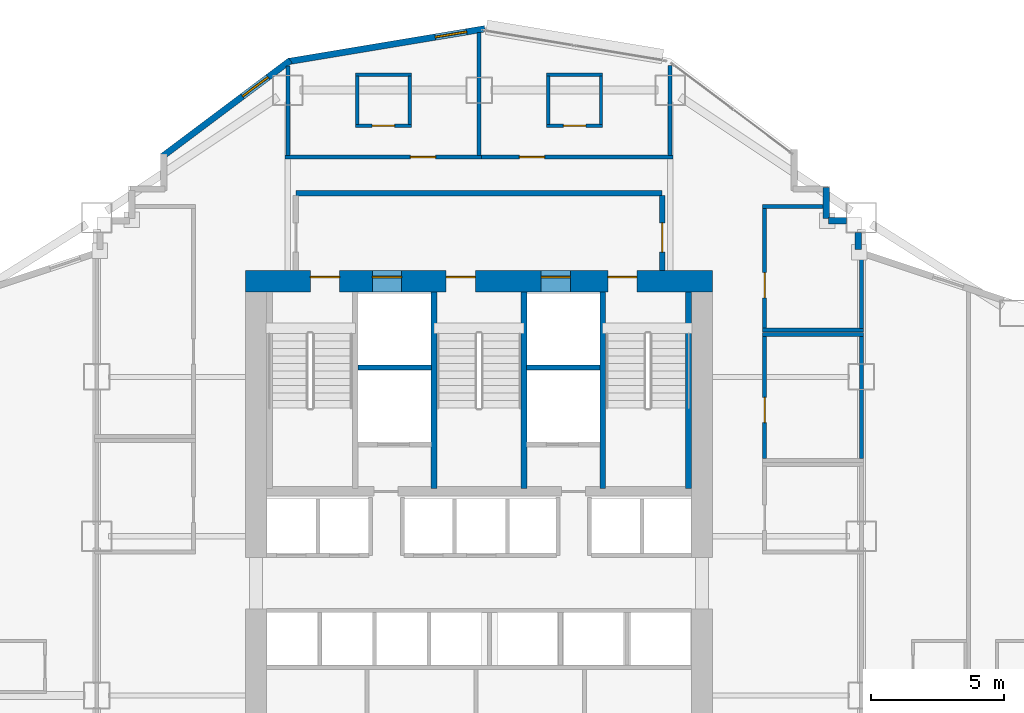
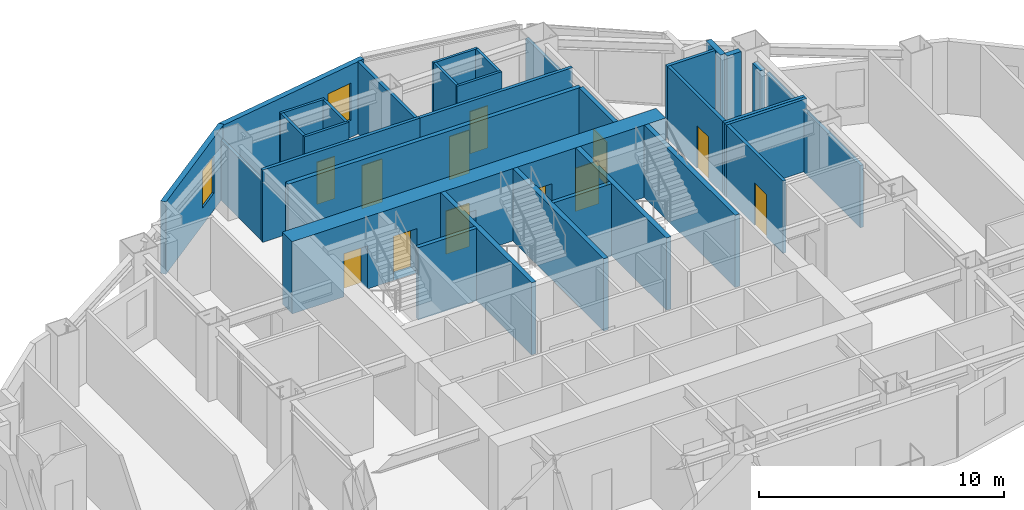
# One storey, part 11 of 18: 34 walls, 12 doors, 2 windows, 14 openings.
"""IFC4 building model written with IfcOpenShell, lengths in metres."""

import ifcopenshell
import ifcopenshell.guid

model = None  # the IFC model being written
_history = None  # IfcOwnerHistory: only IFC2X3 demands one
_inside = {}  # id of a spatial element -> (the spatial element, [elements in it])
_under = {}  # id of a project, library or spatial element -> (it, [spatial elements below it])
_declared = {}  # id of a project -> (the project, [libraries it declares])
_typed = {}  # id of a type object -> (the type object, [elements of that type])
_made_of = {}  # id of a material, layer set ... -> (it, [elements and type objects made of it])


def new_model(schema):
    """Start an empty IFC model of exactly this schema.

    Asked for "IFC4X3", IfcOpenShell would pick the latest addendum, in which some entities
    have other attributes; the version numbers below select the first issue.
    IFC2X3 requires an IfcOwnerHistory on every rooted entity: one is made here for all.
    """
    global model, _history
    if schema == "IFC4X3":
        model = ifcopenshell.file(schema_version=(4, 3, 0, 0))
    else:
        model = ifcopenshell.file(schema=schema)
    _inside.clear()
    _under.clear()
    _declared.clear()
    _typed.clear()
    _made_of.clear()
    _history = None
    if model.schema == "IFC2X3":
        org = make("IfcOrganization", Name="unknown")
        user = make(
            "IfcPersonAndOrganization",
            ThePerson=make("IfcPerson", FamilyName="unknown"),
            TheOrganization=org,
        )
        app = make(
            "IfcApplication",
            ApplicationDeveloper=org,
            Version="unknown",
            ApplicationFullName="unknown",
            ApplicationIdentifier="unknown",
        )
        _history = make(
            "IfcOwnerHistory",
            OwningUser=user,
            OwningApplication=app,
            ChangeAction="ADDED",
            CreationDate=0,
        )
    return model


def make(cls, **values):
    """One entity of the class cls with the attributes given. An attribute that is None is left unset."""
    return model.create_entity(
        cls, **{name: value for name, value in values.items() if value is not None}
    )


def rooted(cls, **values):
    """An entity with a GlobalId (a new one), such as an element, a storey or a relation."""
    return make(cls, GlobalId=ifcopenshell.guid.new(), OwnerHistory=_history, **values)


def si_unit(unit_type, name, prefix=None):
    """IfcSIUnit, for example si_unit("LENGTHUNIT", "METRE", prefix="MILLI")."""
    return make("IfcSIUnit", UnitType=unit_type, Prefix=prefix, Name=name)


def assignment(units):
    """IfcUnitAssignment: the units of a project."""
    return None if units is None else make("IfcUnitAssignment", Units=units)


def point(xyz):
    """IfcCartesianPoint."""
    return None if xyz is None else make("IfcCartesianPoint", Coordinates=xyz)


def direction(xyz):
    """IfcDirection."""
    return None if xyz is None else make("IfcDirection", DirectionRatios=xyz)


def frame(location, z_axis=None, x_axis=None):
    """IfcAxis2Placement3D, a coordinate frame: its origin and axes. An axis left out is left unset."""
    return make(
        "IfcAxis2Placement3D",
        Location=point(location),
        Axis=direction(z_axis),
        RefDirection=direction(x_axis),
    )


def frame_2d(location, x_axis=None):
    """IfcAxis2Placement2D, a coordinate frame in the plane: its origin and x axis."""
    return make(
        "IfcAxis2Placement2D", Location=point(location), RefDirection=direction(x_axis)
    )


def origin():
    """The frame at (0, 0, 0) with its axes left unset."""
    return frame((0.0, 0.0, 0.0))


def place(relative_to, where):
    """IfcLocalPlacement: puts the frame where relative to a parent placement (None: the world)."""
    return make(
        "IfcLocalPlacement", PlacementRelTo=relative_to, RelativePlacement=where
    )


def context(
    kind, dimensions, precision=None, world=None, true_north=None, identifier=None
):
    """IfcGeometricRepresentationContext, for example the 3D "Model" context."""
    return make(
        "IfcGeometricRepresentationContext",
        ContextIdentifier=identifier,
        ContextType=kind,
        CoordinateSpaceDimension=dimensions,
        Precision=precision,
        WorldCoordinateSystem=world,
        TrueNorth=true_north,
    )


def subcontext(parent, identifier, kind, view, scale=None):
    """IfcGeometricRepresentationSubContext, for example "Body" below "Model"."""
    return make(
        "IfcGeometricRepresentationSubContext",
        ContextIdentifier=identifier,
        ContextType=kind,
        ParentContext=parent,
        TargetScale=scale,
        TargetView=view,
    )


def project(units=None, contexts=None):
    """IfcProject with its units and contexts."""
    return rooted(
        "IfcProject",
        Name="project",
        RepresentationContexts=contexts,
        UnitsInContext=assignment(units),
    )


def spatial(cls, under=None, at=None, **own):
    """A site, building, storey or space (cls), placed at a placement, below another one or the project."""
    s = rooted(cls, ObjectPlacement=at, **own)
    if under is not None:
        _under.setdefault(under.id(), (under, []))[1].append(s)
    return s


def profile(cls, at=None, kind="AREA", **sizes):
    """A parametric profile (cls). Its sizes go by their IFC names, for example OverallWidth=200.0."""
    return make(cls, ProfileType=kind, Position=at, **sizes)


def rectangle(**sizes):
    """IfcRectangleProfileDef."""
    return profile("IfcRectangleProfileDef", **sizes)


def extrude(swept, where, along, depth):
    """IfcExtrudedAreaSolid: the profile swept, set in the frame where, extruded along a direction by depth."""
    return make(
        "IfcExtrudedAreaSolid",
        SweptArea=swept,
        Position=where,
        ExtrudedDirection=direction(along),
        Depth=depth,
    )


def shape(context_of_items, identifier, shape_type, items):
    """IfcShapeRepresentation: the items that make up one representation, for example the "Body"."""
    return make(
        "IfcShapeRepresentation",
        ContextOfItems=context_of_items,
        RepresentationIdentifier=identifier,
        RepresentationType=shape_type,
        Items=items,
    )


def material(Name=None, Category=None):
    """IfcMaterial."""
    return make("IfcMaterial", Name=Name, Category=Category)


def layer(
    of_material, thickness, ventilated=None, Name=None, Category=None, Priority=None
):
    """IfcMaterialLayer: one layer of a wall or slab, of a material (None: an air gap)."""
    return make(
        "IfcMaterialLayer",
        Material=of_material,
        LayerThickness=thickness,
        IsVentilated=ventilated,
        Name=Name,
        Category=Category,
        Priority=Priority,
    )


def layer_set(layers, Name=None):
    """IfcMaterialLayerSet."""
    return make("IfcMaterialLayerSet", MaterialLayers=layers, LayerSetName=Name)


def made_of(thing, what):
    """Note that an element or type object is made of a material, layer set ...; save() writes the relation."""
    if what is not None:
        _made_of.setdefault(what.id(), (what, []))[1].append(thing)
    return thing


def type_object(cls, material=None, **own):
    """A type object (cls), such as IfcWallType, which elements share."""
    return made_of(rooted(cls, **own), material)


def element(
    cls,
    number,
    at=None,
    inside=None,
    cuts=None,
    type_object=None,
    material=None,
    context=None,
    identifier="Body",
    shape_type=None,
    held_by="IfcProductDefinitionShape",
    body=None,
    shapes=None,
    **own,
):
    """One element of the class cls, such as IfcWall. Its Tag is "e" and its number.

    at: its placement. inside: the storey or other place that contains it. cuts: it is an
    opening in that element (IfcRelVoidsElement). A single representation is given by context,
    identifier, shape_type and body (its items); several are given by shapes. held_by: the class
    of the entity that holds the representations. save() writes the other relations.
    """
    e = rooted(cls, Tag="e%d" % number, ObjectPlacement=at, **own)
    if body is not None:
        shapes = [shape(context, identifier, shape_type, body)]
    if shapes is not None:
        e.Representation = make(held_by, Representations=shapes)
    if inside is not None:
        _inside.setdefault(inside.id(), (inside, []))[1].append(e)
    if cuts is not None:
        rooted(
            "IfcRelVoidsElement", RelatingBuildingElement=cuts, RelatedOpeningElement=e
        )
    if type_object is not None:
        _typed.setdefault(type_object.id(), (type_object, []))[1].append(e)
    return made_of(e, material)


def fill(opening, filler):
    """IfcRelFillsElement: the door or window that sits in an opening."""
    return rooted(
        "IfcRelFillsElement",
        RelatingOpeningElement=opening,
        RelatedBuildingElement=filler,
    )


def aggregate(whole, parts):
    """IfcRelAggregates: a whole, such as a stair, and the parts it consists of."""
    return rooted("IfcRelAggregates", RelatingObject=whole, RelatedObjects=parts)


def save(model, path):
    """Write the relations noted so far, then the file.

    IfcRelAggregates (storeys below a building ...), IfcRelContainedInSpatialStructure (elements
    in a storey), IfcRelDefinesByType, IfcRelAssociatesMaterial and IfcRelDeclares: one each for
    every whole, place, type object, material and project.
    """
    for whole, parts in _under.values():
        aggregate(whole, parts)
    for where, things in _inside.values():
        rooted(
            "IfcRelContainedInSpatialStructure",
            RelatedElements=things,
            RelatingStructure=where,
        )
    for kind, things in _typed.values():
        rooted("IfcRelDefinesByType", RelatedObjects=things, RelatingType=kind)
    for what, things in _made_of.values():
        rooted("IfcRelAssociatesMaterial", RelatedObjects=things, RelatingMaterial=what)
    for by, libraries in _declared.values():
        rooted("IfcRelDeclares", RelatingContext=by, RelatedDefinitions=libraries)
    model.write(path)


model = new_model("IFC4")

# Units and contexts
model_context = context("Model", 3, precision=1e-05, world=origin(), true_north=direction((0.0, 1.0)))
body_context = subcontext(model_context, "Body", "Model", "MODEL_VIEW")
ifc_project = project(units=[si_unit("LENGTHUNIT", "METRE"), si_unit("AREAUNIT", "SQUARE_METRE"), si_unit("VOLUMEUNIT", "CUBIC_METRE"), si_unit("PLANEANGLEUNIT", "RADIAN"), si_unit("MASSUNIT", "GRAM", prefix="KILO")], contexts=[model_context])

# Site, building, storey
site_placement = place(None, origin())
site = spatial("IfcSite", under=ifc_project, at=site_placement, CompositionType="ELEMENT")
building_placement = place(site_placement, origin())
building = spatial("IfcBuilding", under=site, at=building_placement, Name="Haolan Belvedere Tower", CompositionType="ELEMENT")
storey_placement = place(building_placement, frame((0.0, 0.0, 51.39990234375)))
storey = spatial("IfcBuildingStorey", under=building, at=storey_placement, Name="L12", CompositionType="ELEMENT", Elevation=51.39990234375)

# Wall, openings, doors
ifc_material_1 = material(Name="Concrete C70/85", Category="concrete")
ifc_layer_1 = layer(ifc_material_1, 0.800048828125, Name="Concrete C70/85")
ifc_layer_set_1 = layer_set([ifc_layer_1], Name="Concrete C70/85")
wall_type_1 = type_object("IfcWallType", Name="WL-CORE-800", PredefinedType="SHEAR", material=ifc_layer_set_1)
wall_1_placement = place(storey_placement, frame((29.60009765625, 43.199951171875, 0.0), z_axis=(0.0, 0.0, 1.0), x_axis=(1.0, 0.0, 0.0)))
wall_1 = element("IfcWall", 1, at=wall_1_placement, inside=storey, type_object=wall_type_1, Name="L12 central core north shear wall", PredefinedType="SHEAR", context=body_context, shape_type="SweptSolid", body=[
    extrude(rectangle(XDim=17.599853515625, YDim=0.800048828125, at=frame_2d((8.7998046875, 0.0))), origin(), (0.0, 0.0, 1.0), 3.60009765625),
])
opening_1_placement = place(wall_1_placement, frame((2.449951171875, 0.0, 0.0)))
opening_1 = element("IfcOpeningElement", 2, at=opening_1_placement, cuts=wall_1, Name="Opening FD-03", PredefinedType="OPENING", context=body_context, shape_type="SweptSolid", body=[
    extrude(rectangle(XDim=1.10009765625, YDim=2.14990234375, at=frame_2d((0.550048828125, 1.074951171875))), frame((0.0, 0.409912109375, 0.0), z_axis=(0.0, -1.0, 0.0), x_axis=(1.0, 0.0, 0.0)), (0.0, 0.0, 1.0), 0.820068359375),
])
opening_2_placement = place(wall_1_placement, frame((7.56005859375, 0.0, 0.0)))
opening_2 = element("IfcOpeningElement", 3, at=opening_2_placement, cuts=wall_1, Name="Opening FD-03", PredefinedType="OPENING", context=body_context, shape_type="SweptSolid", body=[
    extrude(rectangle(XDim=1.10009765625, YDim=2.14990234375, at=frame_2d((0.550048828125, 1.074951171875))), frame((0.0, 0.409912109375, 0.0), z_axis=(0.0, -1.0, 0.0), x_axis=(1.0, 0.0, 0.0)), (0.0, 0.0, 1.0), 0.820068359375),
])
opening_3_placement = place(wall_1_placement, frame((13.64990234375, 0.0, 0.0)))
opening_3 = element("IfcOpeningElement", 4, at=opening_3_placement, cuts=wall_1, Name="Opening FD-03", PredefinedType="OPENING", context=body_context, shape_type="SweptSolid", body=[
    extrude(rectangle(XDim=1.10009765625, YDim=2.14990234375, at=frame_2d((0.550048828125, 1.074951171875))), frame((0.0, 0.409912109375, 0.0), z_axis=(0.0, -1.0, 0.0), x_axis=(1.0, 0.0, 0.0)), (0.0, 0.0, 1.0), 0.820068359375),
])
opening_4_placement = place(wall_1_placement, frame((4.780029296875, 0.0, 0.0)))
opening_4 = element("IfcOpeningElement", 5, at=opening_4_placement, cuts=wall_1, Name="Opening LD-01", PredefinedType="OPENING", context=body_context, shape_type="SweptSolid", body=[
    extrude(rectangle(XDim=1.10009765625, YDim=2.199951171875, at=frame_2d((0.550048828125, 1.10009765625))), frame((0.0, 0.409912109375, 0.0), z_axis=(0.0, -1.0, 0.0), x_axis=(1.0, 0.0, 0.0)), (0.0, 0.0, 1.0), 0.820068359375),
])
opening_5_placement = place(wall_1_placement, frame((11.139892578125, 0.0, 0.0)))
opening_5 = element("IfcOpeningElement", 6, at=opening_5_placement, cuts=wall_1, Name="Opening LD-01", PredefinedType="OPENING", context=body_context, shape_type="SweptSolid", body=[
    extrude(rectangle(XDim=1.10009765625, YDim=2.199951171875, at=frame_2d((0.550048828125, 1.10009765625))), frame((0.0, 0.409912109375, 0.0), z_axis=(0.0, -1.0, 0.0), x_axis=(1.0, 0.0, 0.0)), (0.0, 0.0, 1.0), 0.820068359375),
])
ifc_material_2 = material(Name="Galvanised fire-rated steel", Category="steel")
door_type_1 = type_object("IfcDoorType", Name="DR-FD90-1100", OperationType="NOTDEFINED", PredefinedType="DOOR", material=ifc_material_2)
door_1_placement = place(opening_1_placement, origin())
door_1 = element("IfcDoor", 7, at=door_1_placement, inside=storey, type_object=door_type_1, Name="L12 door CD-L12-ST1", OperationType="SINGLE_SWING_LEFT", OverallHeight=2.14990234375, OverallWidth=1.10009765625, PredefinedType="DOOR", context=body_context, shape_type="SweptSolid", body=[
    extrude(rectangle(XDim=1.10009765625, YDim=2.14990234375, at=frame_2d((0.550048828125, 1.074951171875))), frame((0.0, 0.18505859375, 0.0), z_axis=(0.0, -1.0, 0.0), x_axis=(1.0, 0.0, 0.0)), (0.0, 0.0, 1.0), 0.050048828125),
])
fill(opening_1, door_1)
door_2_placement = place(opening_2_placement, origin())
door_2 = element("IfcDoor", 8, at=door_2_placement, inside=storey, type_object=door_type_1, Name="L12 door CD-L12-ST3", OperationType="SINGLE_SWING_LEFT", OverallHeight=2.14990234375, OverallWidth=1.10009765625, PredefinedType="DOOR", context=body_context, shape_type="SweptSolid", body=[
    extrude(rectangle(XDim=1.10009765625, YDim=2.14990234375, at=frame_2d((0.550048828125, 1.074951171875))), frame((0.0, 0.18505859375, 0.0), z_axis=(0.0, -1.0, 0.0), x_axis=(1.0, 0.0, 0.0)), (0.0, 0.0, 1.0), 0.050048828125),
])
fill(opening_2, door_2)
door_3_placement = place(opening_3_placement, origin())
door_3 = element("IfcDoor", 9, at=door_3_placement, inside=storey, type_object=door_type_1, Name="L12 door CD-L12-ST2", OperationType="SINGLE_SWING_RIGHT", OverallHeight=2.14990234375, OverallWidth=1.10009765625, PredefinedType="DOOR", context=body_context, shape_type="SweptSolid", body=[
    extrude(rectangle(XDim=1.10009765625, YDim=2.14990234375, at=frame_2d((0.550048828125, 1.074951171875))), frame((0.0, 0.18505859375, 0.0), z_axis=(0.0, -1.0, 0.0), x_axis=(1.0, 0.0, 0.0)), (0.0, 0.0, 1.0), 0.050048828125),
])
fill(opening_3, door_3)
ifc_material_3 = material(Name="Brushed champagne stainless steel 316L", Category="steel")
door_type_2 = type_object("IfcDoorType", Name="DR-LIFT-1100", OperationType="SLIDING_TO_LEFT", PredefinedType="DOOR", material=ifc_material_3)
door_4_placement = place(opening_4_placement, origin())
door_4 = element("IfcDoor", 10, at=door_4_placement, inside=storey, type_object=door_type_2, Name="L12 door LD-L12-FF1", OperationType="SLIDING_TO_LEFT", OverallHeight=2.199951171875, OverallWidth=1.10009765625, PredefinedType="DOOR", context=body_context, shape_type="SweptSolid", body=[
    extrude(rectangle(XDim=1.10009765625, YDim=2.199951171875, at=frame_2d((0.550048828125, 1.10009765625))), frame((0.0, 0.18505859375, 0.0), z_axis=(0.0, -1.0, 0.0), x_axis=(1.0, 0.0, 0.0)), (0.0, 0.0, 1.0), 0.050048828125),
])
fill(opening_4, door_4)
door_5_placement = place(opening_5_placement, origin())
door_5 = element("IfcDoor", 11, at=door_5_placement, inside=storey, type_object=door_type_2, Name="L12 door LD-L12-FF2", OperationType="SLIDING_TO_LEFT", OverallHeight=2.199951171875, OverallWidth=1.10009765625, PredefinedType="DOOR", context=body_context, shape_type="SweptSolid", body=[
    extrude(rectangle(XDim=1.10009765625, YDim=2.199951171875, at=frame_2d((0.550048828125, 1.10009765625))), frame((0.0, 0.18505859375, 0.0), z_axis=(0.0, -1.0, 0.0), x_axis=(1.0, 0.0, 0.0)), (0.0, 0.0, 1.0), 0.050048828125),
])
fill(opening_5, door_5)

# Walls
ifc_material_4 = material(Name="Precast concrete C40/50", Category="concrete")
ifc_layer_2 = layer(ifc_material_4, 0.239990234375, Name="Precast concrete C40/50")
ifc_layer_set_2 = layer_set([ifc_layer_2], Name="Precast concrete C40/50")
wall_type_2 = type_object("IfcWallType", Name="WL-EXT-240", PredefinedType="SOLIDWALL", material=ifc_layer_set_2)
wall_2_placement = place(storey_placement, frame((52.679931640625, 44.3984375, 0.0), z_axis=(0.0, 0.0, 1.0), x_axis=(0.0, 1.0, 0.0)))
element("IfcWall", 12, at=wall_2_placement, inside=storey, type_object=wall_type_2, Name="L12 pale-metal exterior spandrel wall 36.1", PredefinedType="SOLIDWALL", context=body_context, shape_type="SweptSolid", body=[
    extrude(rectangle(XDim=0.634521484375, YDim=0.239990234375, at=frame_2d((0.3173828125, 0.0))), origin(), (0.0, 0.0, 1.0), 3.09716796875),
])
wall_3_placement = place(storey_placement, frame((52.23291015625, 45.47998046875, 0.0), z_axis=(0.0, 0.0, 1.0), x_axis=(-1.0, 0.0, 0.0)))
element("IfcWall", 13, at=wall_3_placement, inside=storey, type_object=wall_type_2, Name="L12 pale-metal exterior spandrel wall 37.1", PredefinedType="SOLIDWALL", context=body_context, shape_type="SweptSolid", body=[
    extrude(rectangle(XDim=0.66796875, YDim=0.239990234375, at=frame_2d((0.333984375, 0.0))), origin(), (0.0, 0.0, 1.0), 3.60009765625),
])
wall_4_placement = place(storey_placement, frame((51.47998046875, 45.56494140625, 0.0), z_axis=(0.0, 0.0, 1.0), x_axis=(0.0, 1.0, 0.0)))
element("IfcWall", 14, at=wall_4_placement, inside=storey, type_object=wall_type_2, Name="L12 pale-metal exterior spandrel wall 38.1", PredefinedType="SOLIDWALL", context=body_context, shape_type="SweptSolid", body=[
    extrude(rectangle(XDim=1.170166015625, YDim=0.239990234375, at=frame_2d((0.5849609375, 0.0))), origin(), (0.0, 0.0, 1.0), 3.60009765625),
])

# Wall, opening, window
wall_5_placement = place(storey_placement, frame((38.621826171875, 52.71533203125, 0.0), z_axis=(0.0, 0.0, 1.0), x_axis=(-0.98639129485, -0.164414760418, 0.0)))
wall_5 = element("IfcWall", 15, at=wall_5_placement, inside=storey, type_object=wall_type_2, Name="L12 pale-metal exterior spandrel wall 43.1", PredefinedType="SOLIDWALL", context=body_context, shape_type="SweptSolid", body=[
    extrude(rectangle(XDim=7.530029296875, YDim=0.239990234375, at=frame_2d((3.76513671875, 0.0))), origin(), (0.0, 0.0, 1.0), 3.60009765625),
])
opening_6_placement = place(wall_5_placement, frame((0.699951171875, 0.0, 0.85009765625)))
opening_6 = element("IfcOpeningElement", 16, at=opening_6_placement, cuts=wall_5, Name="Opening W-01", PredefinedType="OPENING", context=body_context, shape_type="SweptSolid", body=[
    extrude(rectangle(XDim=1.199951171875, YDim=1.85009765625, at=frame_2d((0.60009765625, 0.925048828125))), frame((0.0, 0.1298828125, 0.0), z_axis=(0.0, -1.0, 0.0), x_axis=(1.0, 0.0, 0.0)), (0.0, 0.0, 1.0), 0.260009765625),
])
ifc_material_5 = material(Name="Anodised aluminium 6063-T6 and Low-E glass", Category="aluminium")
window_type = type_object("IfcWindowType", Name="WN-DECO-Z1", PartitioningType="SINGLE_PANEL", PredefinedType="WINDOW", material=ifc_material_5)
window_1_placement = place(opening_6_placement, origin())
window_1 = element("IfcWindow", 17, at=window_1_placement, inside=storey, type_object=window_type, Name="L12 Art Deco chevron window 1", OverallHeight=1.85009765625, OverallWidth=1.199951171875, PartitioningType="SINGLE_PANEL", PredefinedType="WINDOW", context=body_context, shape_type="SweptSolid", body=[
    extrude(rectangle(XDim=1.199951171875, YDim=1.85009765625, at=frame_2d((0.60009765625, 0.925048828125))), frame((0.0, 0.030029296875, 0.0), z_axis=(0.0, -1.0, 0.0), x_axis=(1.0, 0.0, 0.0)), (0.0, 0.0, 1.0), 0.06005859375),
])
fill(opening_6, window_1)

wall_6_placement = place(storey_placement, frame((31.29248046875, 51.519287109375, 0.0), z_axis=(0.0, 0.0, 1.0), x_axis=(-0.8, -0.6, 0.0)))
wall_6 = element("IfcWall", 18, at=wall_6_placement, inside=storey, type_object=wall_type_2, Name="L12 pale-metal exterior spandrel wall 44.1", PredefinedType="SOLIDWALL", context=body_context, shape_type="SweptSolid", body=[
    extrude(rectangle(XDim=6.0205078125, YDim=0.239990234375, at=frame_2d((3.01025390625, 0.0))), origin(), (0.0, 0.0, 1.0), 3.60009765625),
])
opening_7_placement = place(wall_6_placement, frame((1.047119140625, 0.0, 0.85009765625)))
opening_7 = element("IfcOpeningElement", 19, at=opening_7_placement, cuts=wall_6, Name="Opening W-01", PredefinedType="OPENING", context=body_context, shape_type="SweptSolid", body=[
    extrude(rectangle(XDim=1.199951171875, YDim=1.85009765625, at=frame_2d((0.60009765625, 0.925048828125))), frame((0.0, 0.1298828125, 0.0), z_axis=(0.0, -1.0, 0.0), x_axis=(1.0, 0.0, 0.0)), (0.0, 0.0, 1.0), 0.260009765625),
])
window_2_placement = place(opening_7_placement, origin())
window_2 = element("IfcWindow", 20, at=window_2_placement, inside=storey, type_object=window_type, Name="L12 Art Deco chevron window 1", OverallHeight=1.85009765625, OverallWidth=1.199951171875, PartitioningType="SINGLE_PANEL", PredefinedType="WINDOW", context=body_context, shape_type="SweptSolid", body=[
    extrude(rectangle(XDim=1.199951171875, YDim=1.85009765625, at=frame_2d((0.60009765625, 0.925048828125))), frame((0.0, 0.030029296875, 0.0), z_axis=(0.0, -1.0, 0.0), x_axis=(1.0, 0.0, 0.0)), (0.0, 0.0, 1.0), 0.06005859375),
])
fill(opening_7, window_2)

# Wall
ifc_material_6 = material(Name="Concrete C40/50", Category="concrete")
ifc_layer_3 = layer(ifc_material_6, 0.199951171875, Name="Concrete C40/50")
ifc_layer_set_3 = layer_set([ifc_layer_3], Name="Concrete C40/50")
wall_type_3 = type_object("IfcWallType", Name="WL-FIRE-200", PredefinedType="SOLIDWALL", material=ifc_layer_set_3)
wall_7_placement = place(storey_placement, frame((31.5, 46.52001953125, 0.0), z_axis=(0.0, 0.0, 1.0), x_axis=(1.0, 0.0, 0.0)))
element("IfcWall", 21, at=wall_7_placement, inside=storey, type_object=wall_type_3, Name="L12 interior partition IW-L12-FFL-N", PredefinedType="SOLIDWALL", context=body_context, shape_type="SweptSolid", body=[
    extrude(rectangle(XDim=13.800048828125, YDim=0.199951171875, at=frame_2d((6.89990234375, 0.0))), origin(), (0.0, 0.0, 1.0), 3.60009765625),
])

# Wall, opening, door
wall_8_placement = place(storey_placement, frame((45.300048828125, 43.60009765625, 0.0), z_axis=(0.0, 0.0, 1.0), x_axis=(0.0, 1.0, 0.0)))
wall_8 = element("IfcWall", 22, at=wall_8_placement, inside=storey, type_object=wall_type_3, Name="L12 interior partition IW-L12-FFL-E", PredefinedType="SOLIDWALL", context=body_context, shape_type="SweptSolid", body=[
    extrude(rectangle(XDim=2.8349609375, YDim=0.199951171875, at=frame_2d((1.41748046875, 0.0))), origin(), (0.0, 0.0, 1.0), 3.60009765625),
])
opening_8_placement = place(wall_8_placement, frame((0.699951171875, 0.0, 0.0)))
opening_8 = element("IfcOpeningElement", 23, at=opening_8_placement, cuts=wall_8, Name="Opening FD-03", PredefinedType="OPENING", context=body_context, shape_type="SweptSolid", body=[
    extrude(rectangle(XDim=1.10009765625, YDim=2.14990234375, at=frame_2d((0.550048828125, 1.074951171875))), frame((0.0, 0.10986328125, 0.0), z_axis=(0.0, -1.0, 0.0), x_axis=(1.0, 0.0, 0.0)), (0.0, 0.0, 1.0), 0.219970703125),
])
door_6_placement = place(opening_8_placement, origin())
door_6 = element("IfcDoor", 24, at=door_6_placement, inside=storey, type_object=door_type_1, Name="L12 door ID-L12-FFL-DE", OperationType="SINGLE_SWING_RIGHT", OverallHeight=2.14990234375, OverallWidth=1.10009765625, PredefinedType="DOOR", context=body_context, shape_type="SweptSolid", body=[
    extrude(rectangle(XDim=1.10009765625, YDim=2.14990234375, at=frame_2d((0.550048828125, 1.074951171875))), frame((0.0, 0.02490234375, 0.0), z_axis=(0.0, -1.0, 0.0), x_axis=(1.0, 0.0, 0.0)), (0.0, 0.0, 1.0), 0.050048828125),
])
fill(opening_8, door_6)

# Wall
ifc_material_7 = material(Name="Double gypsum acoustic stud partition", Category="masonry")
ifc_layer_4 = layer(ifc_material_7, 0.14990234375, Name="Double gypsum acoustic stud partition")
ifc_layer_set_4 = layer_set([ifc_layer_4], Name="Double gypsum acoustic stud partition")
wall_type_4 = type_object("IfcWallType", Name="WL-PART-150", PredefinedType="PARTITIONING", material=ifc_layer_set_4)
wall_9_placement = place(storey_placement, frame((49.080078125, 41.199951171875, 0.0), z_axis=(0.0, 0.0, 1.0), x_axis=(1.0, 0.0, 0.0)))
element("IfcWall", 25, at=wall_9_placement, inside=storey, type_object=wall_type_4, Name="L12 interior partition IW-L12-STY-N", PredefinedType="PARTITIONING", context=body_context, shape_type="SweptSolid", body=[
    extrude(rectangle(XDim=3.7998046875, YDim=0.14990234375, at=frame_2d((1.89990234375, 0.0))), origin(), (0.0, 0.0, 1.0), 3.60009765625),
])

# Wall, opening, door
wall_10_placement = place(storey_placement, frame((49.159912109375, 36.52001953125, 0.0), z_axis=(0.0, 0.0, 1.0), x_axis=(0.0, 1.0, 0.0)))
wall_10 = element("IfcWall", 26, at=wall_10_placement, inside=storey, type_object=wall_type_4, Name="L12 interior partition IW-L12-STY-W", PredefinedType="PARTITIONING", context=body_context, shape_type="SweptSolid", body=[
    extrude(rectangle(XDim=4.619873046875, YDim=0.14990234375, at=frame_2d((2.31005859375, 0.0))), origin(), (0.0, 0.0, 1.0), 3.60009765625),
])
opening_9_placement = place(wall_10_placement, frame((1.360107421875, 0.0, 0.0)))
opening_9 = element("IfcOpeningElement", 27, at=opening_9_placement, cuts=wall_10, Name="Opening ID-03", PredefinedType="OPENING", context=body_context, shape_type="SweptSolid", body=[
    extrude(rectangle(XDim=0.949951171875, YDim=2.1201171875, at=frame_2d((0.47509765625, 1.06005859375))), frame((0.0, 0.0849609375, 0.0), z_axis=(0.0, -1.0, 0.0), x_axis=(1.0, 0.0, 0.0)), (0.0, 0.0, 1.0), 0.169921875),
])
ifc_material_8 = material(Name="Painted solid-core timber", Category="wood")
door_type_3 = type_object("IfcDoorType", Name="DR-INT-950", OperationType="NOTDEFINED", PredefinedType="DOOR", material=ifc_material_8)
door_7_placement = place(opening_9_placement, origin())
door_7 = element("IfcDoor", 28, at=door_7_placement, inside=storey, type_object=door_type_3, Name="L12 door ID-L12-STY", OperationType="SINGLE_SWING_RIGHT", OverallHeight=2.1201171875, OverallWidth=0.949951171875, PredefinedType="DOOR", context=body_context, shape_type="SweptSolid", body=[
    extrude(rectangle(XDim=0.949951171875, YDim=2.1201171875, at=frame_2d((0.47509765625, 1.06005859375))), frame((0.0, 0.02490234375, 0.0), z_axis=(0.0, -1.0, 0.0), x_axis=(1.0, 0.0, 0.0)), (0.0, 0.0, 1.0), 0.050048828125),
])
fill(opening_9, door_7)

# Walls
wall_11_placement = place(storey_placement, frame((52.800048828125, 36.52001953125, 0.0), z_axis=(0.0, 0.0, 1.0), x_axis=(0.0, 1.0, 0.0)))
element("IfcWall", 29, at=wall_11_placement, inside=storey, type_object=wall_type_4, Name="L12 interior partition IW-L12-STY-E", PredefinedType="PARTITIONING", context=body_context, shape_type="SweptSolid", body=[
    extrude(rectangle(XDim=4.619873046875, YDim=0.14990234375, at=frame_2d((2.31005859375, 0.0))), origin(), (0.0, 0.0, 1.0), 3.09716796875),
])
wall_12_placement = place(storey_placement, frame((49.080078125, 46.02001953125, 0.0), z_axis=(0.0, 0.0, 1.0), x_axis=(1.0, 0.0, 0.0)))
element("IfcWall", 30, at=wall_12_placement, inside=storey, type_object=wall_type_4, Name="L12 interior partition IW-L12-PNT-N", PredefinedType="PARTITIONING", context=body_context, shape_type="SweptSolid", body=[
    extrude(rectangle(XDim=2.294921875, YDim=0.14990234375, at=frame_2d((1.1474609375, 0.0))), origin(), (0.0, 0.0, 1.0), 3.60009765625),
])
wall_13_placement = place(storey_placement, frame((49.080078125, 41.360107421875, 0.0), z_axis=(0.0, 0.0, 1.0), x_axis=(1.0, 0.0, 0.0)))
element("IfcWall", 31, at=wall_13_placement, inside=storey, type_object=wall_type_4, Name="L12 interior partition IW-L12-PNT-S", PredefinedType="PARTITIONING", context=body_context, shape_type="SweptSolid", body=[
    extrude(rectangle(XDim=3.7998046875, YDim=0.14990234375, at=frame_2d((1.89990234375, 0.0))), origin(), (0.0, 0.0, 1.0), 3.60009765625),
])

# Wall, opening, door
wall_14_placement = place(storey_placement, frame((49.159912109375, 41.419921875, 0.0), z_axis=(0.0, 0.0, 1.0), x_axis=(0.0, 1.0, 0.0)))
wall_14 = element("IfcWall", 32, at=wall_14_placement, inside=storey, type_object=wall_type_4, Name="L12 interior partition IW-L12-PNT-W", PredefinedType="PARTITIONING", context=body_context, shape_type="SweptSolid", body=[
    extrude(rectangle(XDim=4.5400390625, YDim=0.14990234375, at=frame_2d((2.27001953125, 0.0))), origin(), (0.0, 0.0, 1.0), 3.60009765625),
])
opening_10_placement = place(wall_14_placement, frame((1.159912109375, 0.0, 0.0)))
opening_10 = element("IfcOpeningElement", 33, at=opening_10_placement, cuts=wall_14, Name="Opening ID-03", PredefinedType="OPENING", context=body_context, shape_type="SweptSolid", body=[
    extrude(rectangle(XDim=0.949951171875, YDim=2.1201171875, at=frame_2d((0.47509765625, 1.06005859375))), frame((0.0, 0.0849609375, 0.0), z_axis=(0.0, -1.0, 0.0), x_axis=(1.0, 0.0, 0.0)), (0.0, 0.0, 1.0), 0.169921875),
])
door_8_placement = place(opening_10_placement, origin())
door_8 = element("IfcDoor", 34, at=door_8_placement, inside=storey, type_object=door_type_3, Name="L12 door ID-L12-PNT", OperationType="SINGLE_SWING_LEFT", OverallHeight=2.1201171875, OverallWidth=0.949951171875, PredefinedType="DOOR", context=body_context, shape_type="SweptSolid", body=[
    extrude(rectangle(XDim=0.949951171875, YDim=2.1201171875, at=frame_2d((0.47509765625, 1.06005859375))), frame((0.0, 0.02490234375, 0.0), z_axis=(0.0, -1.0, 0.0), x_axis=(1.0, 0.0, 0.0)), (0.0, 0.0, 1.0), 0.050048828125),
])
fill(opening_10, door_8)

# Wall
wall_15_placement = place(storey_placement, frame((52.800048828125, 41.419921875, 0.0), z_axis=(0.0, 0.0, 1.0), x_axis=(0.0, 1.0, 0.0)))
element("IfcWall", 35, at=wall_15_placement, inside=storey, type_object=wall_type_4, Name="L12 interior partition IW-L12-PNT-E", PredefinedType="PARTITIONING", context=body_context, shape_type="SweptSolid", body=[
    extrude(rectangle(XDim=2.742919921875, YDim=0.14990234375, at=frame_2d((1.37158203125, 0.0))), origin(), (0.0, 0.0, 1.0), 3.09716796875),
])

# Wall, opening, door
wall_16_placement = place(storey_placement, frame((31.10009765625, 47.8798828125, 0.0), z_axis=(0.0, 0.0, 1.0), x_axis=(1.0, 0.0, 0.0)))
wall_16 = element("IfcWall", 36, at=wall_16_placement, inside=storey, type_object=wall_type_4, Name="L12 interior partition IW-L12-KN2-S", PredefinedType="PARTITIONING", context=body_context, shape_type="SweptSolid", body=[
    extrude(rectangle(XDim=7.39990234375, YDim=0.14990234375, at=frame_2d((3.699951171875, 0.0))), origin(), (0.0, 0.0, 1.0), 3.60009765625),
])
opening_11_placement = place(wall_16_placement, frame((4.713623046875, 0.0, 0.0)))
opening_11 = element("IfcOpeningElement", 37, at=opening_11_placement, cuts=wall_16, Name="Opening ID-02", PredefinedType="OPENING", context=body_context, shape_type="SweptSolid", body=[
    extrude(rectangle(XDim=0.949951171875, YDim=2.14990234375, at=frame_2d((0.47509765625, 1.074951171875))), frame((0.0, 0.0849609375, 0.0), z_axis=(0.0, -1.0, 0.0), x_axis=(1.0, 0.0, 0.0)), (0.0, 0.0, 1.0), 0.169921875),
])
ifc_material_9 = material(Name="Acoustic oak veneer fire-rated timber", Category="wood")
door_type_4 = type_object("IfcDoorType", Name="DR-GUEST-950", OperationType="NOTDEFINED", PredefinedType="DOOR", material=ifc_material_9)
door_9_placement = place(opening_11_placement, origin())
door_9 = element("IfcDoor", 38, at=door_9_placement, inside=storey, type_object=door_type_4, Name="L12 door ID-L12-KN2-ENT", OperationType="SINGLE_SWING_RIGHT", OverallHeight=2.14990234375, OverallWidth=0.949951171875, PredefinedType="DOOR", context=body_context, shape_type="SweptSolid", body=[
    extrude(rectangle(XDim=0.949951171875, YDim=2.14990234375, at=frame_2d((0.47509765625, 1.074951171875))), frame((0.0, 0.02490234375, 0.0), z_axis=(0.0, -1.0, 0.0), x_axis=(1.0, 0.0, 0.0)), (0.0, 0.0, 1.0), 0.050048828125),
])
fill(opening_11, door_9)

# Walls
wall_17_placement = place(storey_placement, frame((31.199951171875, 47.93994140625, 0.0), z_axis=(0.0, 0.0, 1.0), x_axis=(0.0, 1.0, 0.0)))
element("IfcWall", 39, at=wall_17_placement, inside=storey, type_object=wall_type_4, Name="L12 interior partition IW-L12-KN2-W", PredefinedType="PARTITIONING", context=body_context, shape_type="SweptSolid", body=[
    extrude(rectangle(XDim=3.378662109375, YDim=0.14990234375, at=frame_2d((1.689453125, 0.0))), origin(), (0.0, 0.0, 1.0), 2.985107421875),
])
wall_18_placement = place(storey_placement, frame((38.39990234375, 47.93994140625, 0.0), z_axis=(0.0, 0.0, 1.0), x_axis=(0.0, 1.0, 0.0)))
element("IfcWall", 40, at=wall_18_placement, inside=storey, type_object=wall_type_4, Name="L12 interior partition IW-L12-KN2-E", PredefinedType="PARTITIONING", context=body_context, shape_type="SweptSolid", body=[
    extrude(rectangle(XDim=4.632080078125, YDim=0.14990234375, at=frame_2d((2.31591796875, 0.0))), origin(), (0.0, 0.0, 1.0), 3.60009765625),
])

# Wall, opening, door
wall_19_placement = place(storey_placement, frame((38.501953125, 47.8798828125, 0.0), z_axis=(0.0, 0.0, 1.0), x_axis=(1.0, 0.0, 0.0)))
wall_19 = element("IfcWall", 41, at=wall_19_placement, inside=storey, type_object=wall_type_4, Name="L12 interior partition IW-L12-KN3-S", PredefinedType="PARTITIONING", context=body_context, shape_type="SweptSolid", body=[
    extrude(rectangle(XDim=7.197998046875, YDim=0.14990234375, at=frame_2d((3.59912109375, 0.0))), origin(), (0.0, 0.0, 1.0), 3.60009765625),
])
opening_12_placement = place(wall_19_placement, frame((1.41748046875, 0.0, 0.0)))
opening_12 = element("IfcOpeningElement", 42, at=opening_12_placement, cuts=wall_19, Name="Opening ID-02", PredefinedType="OPENING", context=body_context, shape_type="SweptSolid", body=[
    extrude(rectangle(XDim=0.949951171875, YDim=2.14990234375, at=frame_2d((0.47509765625, 1.074951171875))), frame((0.0, 0.0849609375, 0.0), z_axis=(0.0, -1.0, 0.0), x_axis=(1.0, 0.0, 0.0)), (0.0, 0.0, 1.0), 0.169921875),
])
door_10_placement = place(opening_12_placement, origin())
door_10 = element("IfcDoor", 43, at=door_10_placement, inside=storey, type_object=door_type_4, Name="L12 door ID-L12-KN3-ENT", OperationType="SINGLE_SWING_LEFT", OverallHeight=2.14990234375, OverallWidth=0.949951171875, PredefinedType="DOOR", context=body_context, shape_type="SweptSolid", body=[
    extrude(rectangle(XDim=0.949951171875, YDim=2.14990234375, at=frame_2d((0.47509765625, 1.074951171875))), frame((0.0, 0.02490234375, 0.0), z_axis=(0.0, -1.0, 0.0), x_axis=(1.0, 0.0, 0.0)), (0.0, 0.0, 1.0), 0.050048828125),
])
fill(opening_12, door_10)

# Walls
wall_20_placement = place(storey_placement, frame((45.60009765625, 47.93994140625, 0.0), z_axis=(0.0, 0.0, 1.0), x_axis=(0.0, 1.0, 0.0)))
element("IfcWall", 44, at=wall_20_placement, inside=storey, type_object=wall_type_4, Name="L12 interior partition IW-L12-KN3-E", PredefinedType="PARTITIONING", context=body_context, shape_type="SweptSolid", body=[
    extrude(rectangle(XDim=3.39501953125, YDim=0.14990234375, at=frame_2d((1.697509765625, 0.0))), origin(), (0.0, 0.0, 1.0), 2.985107421875),
])
ifc_layer_5 = layer(ifc_material_4, 0.179931640625, Name="Precast concrete C40/50")
ifc_layer_set_5 = layer_set([ifc_layer_5], Name="Precast concrete C40/50")
wall_type_5 = type_object("IfcWallType", Name="WL-SHAFT-180", PredefinedType="SOLIDWALL", material=ifc_layer_set_5)
for number, where, z_axis, x_axis, name in (
    (45, (33.8349609375, 39.949951171875, 0.0), (0.0, 0.0, 1.0), (1.0, 0.0, 0.0), "L12 interior partition IW-L12-FF1-S"),
    (46, (40.195068359375, 39.949951171875, 0.0), (0.0, 0.0, 1.0), (1.0, 0.0, 0.0), "L12 interior partition IW-L12-FF2-S"),
):
    element("IfcWall", number, at=place(storey_placement, frame(where, z_axis=z_axis, x_axis=x_axis)), inside=storey, type_object=wall_type_5, Name=name, PredefinedType="SOLIDWALL", context=body_context, shape_type="SweptSolid", body=[
        extrude(rectangle(XDim=2.77001953125, YDim=0.179931640625, at=frame_2d((1.385009765625, 0.0))), origin(), (0.0, 0.0, 1.0), 3.60009765625),
    ])
ifc_material_10 = material(Name="Concrete C50/60", Category="concrete")
ifc_layer_6 = layer(ifc_material_10, 0.219970703125, Name="Concrete C50/60")
ifc_layer_set_6 = layer_set([ifc_layer_6], Name="Concrete C50/60")
wall_type_6 = type_object("IfcWallType", Name="WL-STAIR-220", PredefinedType="SHEAR", material=ifc_layer_set_6)
for number, where, z_axis, x_axis, name in (
    (47, (36.699951171875, 35.389892578125, 0.0), (0.0, 0.0, 1.0), (0.0, 1.0, 0.0), "L12 structural stair core wall ST3W"),
    (48, (40.10009765625, 35.389892578125, 0.0), (0.0, 0.0, 1.0), (0.0, 1.0, 0.0), "L12 structural stair core wall ST3E"),
    (49, (43.06005859375, 35.389892578125, 0.0), (0.0, 0.0, 1.0), (0.0, 1.0, 0.0), "L12 structural stair core wall ST2W"),
    (50, (46.2880859375, 35.389892578125, 0.0), (0.0, 0.0, 1.0), (0.0, 1.0, 0.0), "L12 structural stair core wall ST2E"),
):
    element("IfcWall", number, at=place(storey_placement, frame(where, z_axis=z_axis, x_axis=x_axis)), inside=storey, type_object=wall_type_6, Name=name, PredefinedType="SHEAR", context=body_context, shape_type="SweptSolid", body=[
        extrude(rectangle(XDim=7.41015625, YDim=0.219970703125, at=frame_2d((3.705078125, 0.0))), origin(), (0.0, 0.0, 1.0), 3.60009765625),
    ])
ifc_material_11 = material(Name="Moisture-resistant gypsum tile partition", Category="masonry")
ifc_layer_7 = layer(ifc_material_11, 0.1201171875, Name="Moisture-resistant gypsum tile partition")
ifc_layer_set_7 = layer_set([ifc_layer_7], Name="Moisture-resistant gypsum tile partition")
wall_type_7 = type_object("IfcWallType", Name="WL-WET-120", PredefinedType="PARTITIONING", material=ifc_layer_set_7)
wall_21_placement = place(storey_placement, frame((33.75, 50.97998046875, 0.0), z_axis=(0.0, 0.0, 1.0), x_axis=(1.0, 0.0, 0.0)))
element("IfcWall", 51, at=wall_21_placement, inside=storey, type_object=wall_type_7, Name="L12 interior partition IW-L12-KN2-BN", PredefinedType="PARTITIONING", context=body_context, shape_type="SweptSolid", body=[
    extrude(rectangle(XDim=2.10009765625, YDim=0.1201171875, at=frame_2d((1.050048828125, 0.0))), origin(), (0.0, 0.0, 1.0), 3.60009765625),
])

# Wall, opening, door
wall_22_placement = place(storey_placement, frame((33.75, 49.06005859375, 0.0), z_axis=(0.0, 0.0, 1.0), x_axis=(1.0, 0.0, 0.0)))
wall_22 = element("IfcWall", 52, at=wall_22_placement, inside=storey, type_object=wall_type_7, Name="L12 interior partition IW-L12-KN2-BS", PredefinedType="PARTITIONING", context=body_context, shape_type="SweptSolid", body=[
    extrude(rectangle(XDim=2.10009765625, YDim=0.1201171875, at=frame_2d((1.050048828125, 0.0))), origin(), (0.0, 0.0, 1.0), 3.60009765625),
])
opening_13_placement = place(wall_22_placement, frame((0.625, 0.0, 0.0)))
opening_13 = element("IfcOpeningElement", 53, at=opening_13_placement, cuts=wall_22, Name="Opening ID-05", PredefinedType="OPENING", context=body_context, shape_type="SweptSolid", body=[
    extrude(rectangle(XDim=0.85009765625, YDim=2.10009765625, at=frame_2d((0.425048828125, 1.050048828125))), frame((0.0, 0.070068359375, 0.0), z_axis=(0.0, -1.0, 0.0), x_axis=(1.0, 0.0, 0.0)), (0.0, 0.0, 1.0), 0.14013671875),
])
ifc_material_12 = material(Name="Moisture-resistant lacquered timber", Category="wood")
door_type_5 = type_object("IfcDoorType", Name="DR-BATH-850", OperationType="NOTDEFINED", PredefinedType="DOOR", material=ifc_material_12)
door_11_placement = place(opening_13_placement, origin())
door_11 = element("IfcDoor", 54, at=door_11_placement, inside=storey, type_object=door_type_5, Name="L12 door ID-L12-KN2-BATH", OperationType="SINGLE_SWING_LEFT", OverallHeight=2.10009765625, OverallWidth=0.85009765625, PredefinedType="DOOR", context=body_context, shape_type="SweptSolid", body=[
    extrude(rectangle(XDim=0.85009765625, YDim=2.10009765625, at=frame_2d((0.425048828125, 1.050048828125))), frame((0.0, 0.02490234375, 0.0), z_axis=(0.0, -1.0, 0.0), x_axis=(1.0, 0.0, 0.0)), (0.0, 0.0, 1.0), 0.050048828125),
])
fill(opening_13, door_11)

# Walls
for number, where, z_axis, x_axis, name in (
    (55, (33.81005859375, 49.10498046875, 0.0), (0.0, 0.0, 1.0), (0.0, 1.0, 0.0), "L12 interior partition IW-L12-KN2-BW"),
    (56, (35.7900390625, 49.10498046875, 0.0), (0.0, 0.0, 1.0), (0.0, 1.0, 0.0), "L12 interior partition IW-L12-KN2-BE"),
):
    element("IfcWall", number, at=place(storey_placement, frame(where, z_axis=z_axis, x_axis=x_axis)), inside=storey, type_object=wall_type_7, Name=name, PredefinedType="PARTITIONING", context=body_context, shape_type="SweptSolid", body=[
        extrude(rectangle(XDim=1.830078125, YDim=0.1201171875, at=frame_2d((0.9150390625, 0.0))), origin(), (0.0, 0.0, 1.0), 3.60009765625),
    ])
wall_23_placement = place(storey_placement, frame((40.949951171875, 50.97998046875, 0.0), z_axis=(0.0, 0.0, 1.0), x_axis=(1.0, 0.0, 0.0)))
element("IfcWall", 57, at=wall_23_placement, inside=storey, type_object=wall_type_7, Name="L12 interior partition IW-L12-KN3-BN", PredefinedType="PARTITIONING", context=body_context, shape_type="SweptSolid", body=[
    extrude(rectangle(XDim=2.10009765625, YDim=0.1201171875, at=frame_2d((1.050048828125, 0.0))), origin(), (0.0, 0.0, 1.0), 3.60009765625),
])

# Wall, opening, door
wall_24_placement = place(storey_placement, frame((40.949951171875, 49.06005859375, 0.0), z_axis=(0.0, 0.0, 1.0), x_axis=(1.0, 0.0, 0.0)))
wall_24 = element("IfcWall", 58, at=wall_24_placement, inside=storey, type_object=wall_type_7, Name="L12 interior partition IW-L12-KN3-BS", PredefinedType="PARTITIONING", context=body_context, shape_type="SweptSolid", body=[
    extrude(rectangle(XDim=2.10009765625, YDim=0.1201171875, at=frame_2d((1.050048828125, 0.0))), origin(), (0.0, 0.0, 1.0), 3.60009765625),
])
opening_14_placement = place(wall_24_placement, frame((0.625, 0.0, 0.0)))
opening_14 = element("IfcOpeningElement", 59, at=opening_14_placement, cuts=wall_24, Name="Opening ID-05", PredefinedType="OPENING", context=body_context, shape_type="SweptSolid", body=[
    extrude(rectangle(XDim=0.85009765625, YDim=2.10009765625, at=frame_2d((0.425048828125, 1.050048828125))), frame((0.0, 0.070068359375, 0.0), z_axis=(0.0, -1.0, 0.0), x_axis=(1.0, 0.0, 0.0)), (0.0, 0.0, 1.0), 0.14013671875),
])
door_12_placement = place(opening_14_placement, origin())
door_12 = element("IfcDoor", 60, at=door_12_placement, inside=storey, type_object=door_type_5, Name="L12 door ID-L12-KN3-BATH", OperationType="SINGLE_SWING_RIGHT", OverallHeight=2.10009765625, OverallWidth=0.85009765625, PredefinedType="DOOR", context=body_context, shape_type="SweptSolid", body=[
    extrude(rectangle(XDim=0.85009765625, YDim=2.10009765625, at=frame_2d((0.425048828125, 1.050048828125))), frame((0.0, 0.02490234375, 0.0), z_axis=(0.0, -1.0, 0.0), x_axis=(1.0, 0.0, 0.0)), (0.0, 0.0, 1.0), 0.050048828125),
])
fill(opening_14, door_12)

# Walls
for number, where, z_axis, x_axis, name in (
    (61, (41.010009765625, 49.10498046875, 0.0), (0.0, 0.0, 1.0), (0.0, 1.0, 0.0), "L12 interior partition IW-L12-KN3-BW"),
    (62, (42.989990234375, 49.10498046875, 0.0), (0.0, 0.0, 1.0), (0.0, 1.0, 0.0), "L12 interior partition IW-L12-KN3-BE"),
):
    element("IfcWall", number, at=place(storey_placement, frame(where, z_axis=z_axis, x_axis=x_axis)), inside=storey, type_object=wall_type_7, Name=name, PredefinedType="PARTITIONING", context=body_context, shape_type="SweptSolid", body=[
        extrude(rectangle(XDim=1.830078125, YDim=0.1201171875, at=frame_2d((0.9150390625, 0.0))), origin(), (0.0, 0.0, 1.0), 3.60009765625),
    ])

save(model, "model.ifc")
